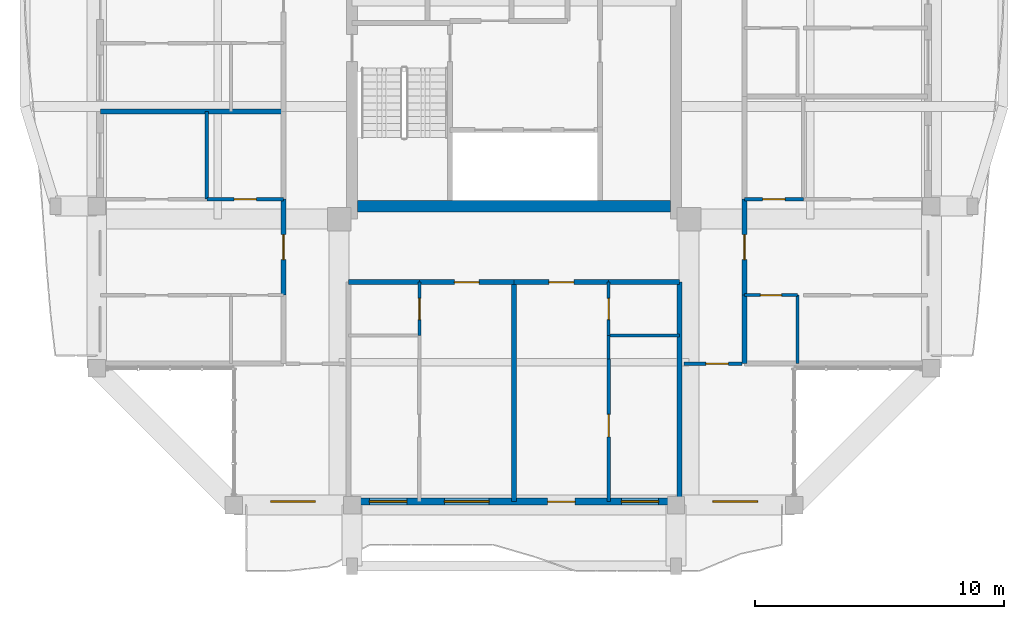
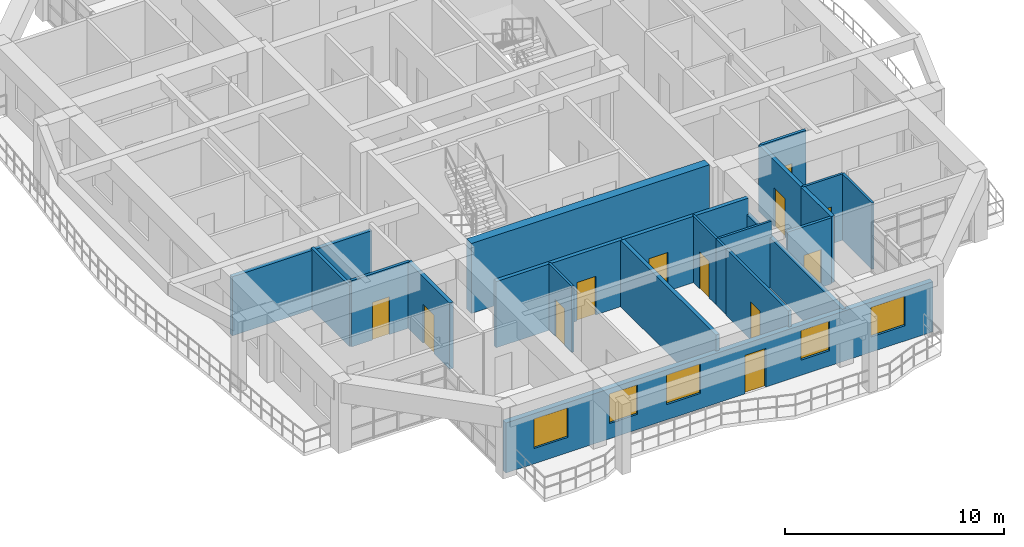
# One storey, part 16 of 27: 23 walls, 12 doors, 5 windows, 17 openings.
"""IFC4 building model written with IfcOpenShell, lengths in metres."""

import ifcopenshell
import ifcopenshell.guid

model = None  # the IFC model being written
_history = None  # IfcOwnerHistory: only IFC2X3 demands one
_inside = {}  # id of a spatial element -> (the spatial element, [elements in it])
_under = {}  # id of a project, library or spatial element -> (it, [spatial elements below it])
_declared = {}  # id of a project -> (the project, [libraries it declares])
_typed = {}  # id of a type object -> (the type object, [elements of that type])
_made_of = {}  # id of a material, layer set ... -> (it, [elements and type objects made of it])


def new_model(schema):
    """Start an empty IFC model of exactly this schema.

    Asked for "IFC4X3", IfcOpenShell would pick the latest addendum, in which some entities
    have other attributes; the version numbers below select the first issue.
    IFC2X3 requires an IfcOwnerHistory on every rooted entity: one is made here for all.
    """
    global model, _history
    if schema == "IFC4X3":
        model = ifcopenshell.file(schema_version=(4, 3, 0, 0))
    else:
        model = ifcopenshell.file(schema=schema)
    _inside.clear()
    _under.clear()
    _declared.clear()
    _typed.clear()
    _made_of.clear()
    _history = None
    if model.schema == "IFC2X3":
        org = make("IfcOrganization", Name="unknown")
        user = make(
            "IfcPersonAndOrganization",
            ThePerson=make("IfcPerson", FamilyName="unknown"),
            TheOrganization=org,
        )
        app = make(
            "IfcApplication",
            ApplicationDeveloper=org,
            Version="unknown",
            ApplicationFullName="unknown",
            ApplicationIdentifier="unknown",
        )
        _history = make(
            "IfcOwnerHistory",
            OwningUser=user,
            OwningApplication=app,
            ChangeAction="ADDED",
            CreationDate=0,
        )
    return model


def make(cls, **values):
    """One entity of the class cls with the attributes given. An attribute that is None is left unset."""
    return model.create_entity(
        cls, **{name: value for name, value in values.items() if value is not None}
    )


def rooted(cls, **values):
    """An entity with a GlobalId (a new one), such as an element, a storey or a relation."""
    return make(cls, GlobalId=ifcopenshell.guid.new(), OwnerHistory=_history, **values)


def si_unit(unit_type, name, prefix=None):
    """IfcSIUnit, for example si_unit("LENGTHUNIT", "METRE", prefix="MILLI")."""
    return make("IfcSIUnit", UnitType=unit_type, Prefix=prefix, Name=name)


def assignment(units):
    """IfcUnitAssignment: the units of a project."""
    return None if units is None else make("IfcUnitAssignment", Units=units)


def point(xyz):
    """IfcCartesianPoint."""
    return None if xyz is None else make("IfcCartesianPoint", Coordinates=xyz)


def direction(xyz):
    """IfcDirection."""
    return None if xyz is None else make("IfcDirection", DirectionRatios=xyz)


def frame(location, z_axis=None, x_axis=None):
    """IfcAxis2Placement3D, a coordinate frame: its origin and axes. An axis left out is left unset."""
    return make(
        "IfcAxis2Placement3D",
        Location=point(location),
        Axis=direction(z_axis),
        RefDirection=direction(x_axis),
    )


def frame_2d(location, x_axis=None):
    """IfcAxis2Placement2D, a coordinate frame in the plane: its origin and x axis."""
    return make(
        "IfcAxis2Placement2D", Location=point(location), RefDirection=direction(x_axis)
    )


def origin():
    """The frame at (0, 0, 0) with its axes left unset."""
    return frame((0.0, 0.0, 0.0))


def place(relative_to, where):
    """IfcLocalPlacement: puts the frame where relative to a parent placement (None: the world)."""
    return make(
        "IfcLocalPlacement", PlacementRelTo=relative_to, RelativePlacement=where
    )


def context(
    kind, dimensions, precision=None, world=None, true_north=None, identifier=None
):
    """IfcGeometricRepresentationContext, for example the 3D "Model" context."""
    return make(
        "IfcGeometricRepresentationContext",
        ContextIdentifier=identifier,
        ContextType=kind,
        CoordinateSpaceDimension=dimensions,
        Precision=precision,
        WorldCoordinateSystem=world,
        TrueNorth=true_north,
    )


def subcontext(parent, identifier, kind, view, scale=None):
    """IfcGeometricRepresentationSubContext, for example "Body" below "Model"."""
    return make(
        "IfcGeometricRepresentationSubContext",
        ContextIdentifier=identifier,
        ContextType=kind,
        ParentContext=parent,
        TargetScale=scale,
        TargetView=view,
    )


def project(units=None, contexts=None):
    """IfcProject with its units and contexts."""
    return rooted(
        "IfcProject",
        Name="project",
        RepresentationContexts=contexts,
        UnitsInContext=assignment(units),
    )


def spatial(cls, under=None, at=None, **own):
    """A site, building, storey or space (cls), placed at a placement, below another one or the project."""
    s = rooted(cls, ObjectPlacement=at, **own)
    if under is not None:
        _under.setdefault(under.id(), (under, []))[1].append(s)
    return s


def profile(cls, at=None, kind="AREA", **sizes):
    """A parametric profile (cls). Its sizes go by their IFC names, for example OverallWidth=200.0."""
    return make(cls, ProfileType=kind, Position=at, **sizes)


def rectangle(**sizes):
    """IfcRectangleProfileDef."""
    return profile("IfcRectangleProfileDef", **sizes)


def extrude(swept, where, along, depth):
    """IfcExtrudedAreaSolid: the profile swept, set in the frame where, extruded along a direction by depth."""
    return make(
        "IfcExtrudedAreaSolid",
        SweptArea=swept,
        Position=where,
        ExtrudedDirection=direction(along),
        Depth=depth,
    )


def shape(context_of_items, identifier, shape_type, items):
    """IfcShapeRepresentation: the items that make up one representation, for example the "Body"."""
    return make(
        "IfcShapeRepresentation",
        ContextOfItems=context_of_items,
        RepresentationIdentifier=identifier,
        RepresentationType=shape_type,
        Items=items,
    )


def source(mapping_origin, context_of_items, identifier, shape_type, items):
    """IfcRepresentationMap: a shape defined once, which mapped items show again and again."""
    return make(
        "IfcRepresentationMap",
        MappingOrigin=mapping_origin,
        MappedRepresentation=shape(context_of_items, identifier, shape_type, items),
    )


def transform(
    local_origin,
    x_axis=None,
    y_axis=None,
    z_axis=None,
    scale=None,
    scale2=None,
    scale3=None,
    uniform=True,
):
    """IfcCartesianTransformationOperator3D, or its non-uniform kind. x_axis, y_axis, z_axis: its Axis1, 2, 3."""
    if uniform:
        return make(
            "IfcCartesianTransformationOperator3D",
            Axis1=direction(x_axis),
            Axis2=direction(y_axis),
            LocalOrigin=point(local_origin),
            Scale=scale,
            Axis3=direction(z_axis),
        )
    return make(
        "IfcCartesianTransformationOperator3DnonUniform",
        Axis1=direction(x_axis),
        Axis2=direction(y_axis),
        LocalOrigin=point(local_origin),
        Scale=scale,
        Axis3=direction(z_axis),
        Scale2=scale2,
        Scale3=scale3,
    )


def mapped(mapping_source, mapping_target):
    """IfcMappedItem: shows the shape of a source again, moved by a transform."""
    return make(
        "IfcMappedItem", MappingSource=mapping_source, MappingTarget=mapping_target
    )


def material(Name=None, Category=None):
    """IfcMaterial."""
    return make("IfcMaterial", Name=Name, Category=Category)


def layer(
    of_material, thickness, ventilated=None, Name=None, Category=None, Priority=None
):
    """IfcMaterialLayer: one layer of a wall or slab, of a material (None: an air gap)."""
    return make(
        "IfcMaterialLayer",
        Material=of_material,
        LayerThickness=thickness,
        IsVentilated=ventilated,
        Name=Name,
        Category=Category,
        Priority=Priority,
    )


def layer_set(layers, Name=None):
    """IfcMaterialLayerSet."""
    return make("IfcMaterialLayerSet", MaterialLayers=layers, LayerSetName=Name)


def made_of(thing, what):
    """Note that an element or type object is made of a material, layer set ...; save() writes the relation."""
    if what is not None:
        _made_of.setdefault(what.id(), (what, []))[1].append(thing)
    return thing


def type_object(cls, material=None, **own):
    """A type object (cls), such as IfcWallType, which elements share."""
    return made_of(rooted(cls, **own), material)


def element(
    cls,
    number,
    at=None,
    inside=None,
    cuts=None,
    type_object=None,
    material=None,
    context=None,
    identifier="Body",
    shape_type=None,
    held_by="IfcProductDefinitionShape",
    body=None,
    shapes=None,
    **own,
):
    """One element of the class cls, such as IfcWall. Its Tag is "e" and its number.

    at: its placement. inside: the storey or other place that contains it. cuts: it is an
    opening in that element (IfcRelVoidsElement). A single representation is given by context,
    identifier, shape_type and body (its items); several are given by shapes. held_by: the class
    of the entity that holds the representations. save() writes the other relations.
    """
    e = rooted(cls, Tag="e%d" % number, ObjectPlacement=at, **own)
    if body is not None:
        shapes = [shape(context, identifier, shape_type, body)]
    if shapes is not None:
        e.Representation = make(held_by, Representations=shapes)
    if inside is not None:
        _inside.setdefault(inside.id(), (inside, []))[1].append(e)
    if cuts is not None:
        rooted(
            "IfcRelVoidsElement", RelatingBuildingElement=cuts, RelatedOpeningElement=e
        )
    if type_object is not None:
        _typed.setdefault(type_object.id(), (type_object, []))[1].append(e)
    return made_of(e, material)


def fill(opening, filler):
    """IfcRelFillsElement: the door or window that sits in an opening."""
    return rooted(
        "IfcRelFillsElement",
        RelatingOpeningElement=opening,
        RelatedBuildingElement=filler,
    )


def aggregate(whole, parts):
    """IfcRelAggregates: a whole, such as a stair, and the parts it consists of."""
    return rooted("IfcRelAggregates", RelatingObject=whole, RelatedObjects=parts)


def save(model, path):
    """Write the relations noted so far, then the file.

    IfcRelAggregates (storeys below a building ...), IfcRelContainedInSpatialStructure (elements
    in a storey), IfcRelDefinesByType, IfcRelAssociatesMaterial and IfcRelDeclares: one each for
    every whole, place, type object, material and project.
    """
    for whole, parts in _under.values():
        aggregate(whole, parts)
    for where, things in _inside.values():
        rooted(
            "IfcRelContainedInSpatialStructure",
            RelatedElements=things,
            RelatingStructure=where,
        )
    for kind, things in _typed.values():
        rooted("IfcRelDefinesByType", RelatedObjects=things, RelatingType=kind)
    for what, things in _made_of.values():
        rooted("IfcRelAssociatesMaterial", RelatedObjects=things, RelatingMaterial=what)
    for by, libraries in _declared.values():
        rooted("IfcRelDeclares", RelatingContext=by, RelatedDefinitions=libraries)
    model.write(path)


model = new_model("IFC4")

# Units and contexts
model_context = context("Model", 3, precision=1e-05, world=origin(), true_north=direction((0.0, 1.0)))
body_context = subcontext(model_context, "Body", "Model", "MODEL_VIEW")
ifc_project = project(units=[si_unit("LENGTHUNIT", "METRE"), si_unit("AREAUNIT", "SQUARE_METRE"), si_unit("VOLUMEUNIT", "CUBIC_METRE"), si_unit("PLANEANGLEUNIT", "RADIAN"), si_unit("MASSUNIT", "GRAM", prefix="KILO")], contexts=[model_context])

# Site, building, storey
site_placement = place(None, origin())
site = spatial("IfcSite", under=ifc_project, at=site_placement, CompositionType="ELEMENT")
building_placement = place(site_placement, origin())
building = spatial("IfcBuilding", under=site, at=building_placement, Name="Saelheon Loggia Tower", CompositionType="ELEMENT")
storey_placement = place(building_placement, frame((0.0, 0.0, 226.199951171875)))
storey = spatial("IfcBuildingStorey", under=building, at=storey_placement, Name="L70", CompositionType="ELEMENT", Elevation=226.199951171875)

# Wall
ifc_material_1 = material(Name="Concrete C45/55", Category="concrete")
ifc_layer_1 = layer(ifc_material_1, 0.449951171875)
ifc_layer_set_1 = layer_set([ifc_layer_1], Name="Concrete C45/55")
wall_type_1 = type_object("IfcWallType", Name="Wall_CoreShear_450", PredefinedType="SHEAR", material=ifc_layer_set_1)
wall_1_placement = place(storey_placement, frame((31.72509765625, 18.0, 0.0), z_axis=(0.0, 0.0, 1.0), x_axis=(1.0, 0.0, 0.0)))
element("IfcWall", 1, at=wall_1_placement, inside=storey, type_object=wall_type_1, Name="L70 Core Shear Wall South", PredefinedType="SHEAR", context=body_context, shape_type="SweptSolid", body=[
    extrude(rectangle(XDim=12.5498046875, YDim=0.449951171875, at=frame_2d((6.27490234375, 0.0))), origin(), (0.0, 0.0, 1.0), 3.900146484375),
])

# Wall, openings, windows, door
ifc_material_2 = material(Name="Architectural Precast Concrete C40/50", Category="concrete")
ifc_layer_2 = layer(ifc_material_2, 0.280029296875)
ifc_layer_set_2 = layer_set([ifc_layer_2], Name="Architectural Precast Concrete C40/50")
wall_type_2 = type_object("IfcWallType", Name="Wall_Ext_Loggia_280", PredefinedType="SOLIDWALL", material=ifc_layer_set_2)
wall_2_placement = place(storey_placement, frame((26.75, 6.139892578125, 0.0), z_axis=(0.0, 0.0, 1.0), x_axis=(1.0, 0.0, 0.0)))
wall_2 = element("IfcWall", 2, at=wall_2_placement, inside=storey, type_object=wall_type_2, Name="L70 South Loggia Inner Wall", PredefinedType="SOLIDWALL", context=body_context, shape_type="SweptSolid", body=[
    extrude(rectangle(XDim=22.5, YDim=0.280029296875, at=frame_2d((11.25, 0.0))), origin(), (0.0, 0.0, 1.0), 2.7900390625),
])
opening_1_placement = place(wall_2_placement, frame((1.47509765625, 0.0, 0.85009765625)))
opening_1 = element("IfcOpeningElement", 3, at=opening_1_placement, cuts=wall_2, Name="Opening WN-01", PredefinedType="OPENING", context=body_context, shape_type="SweptSolid", body=[
    extrude(rectangle(XDim=1.800048828125, YDim=1.64990234375, at=frame_2d((0.89990234375, 0.824951171875))), frame((0.0, 0.152099609375, 0.0), z_axis=(0.0, -1.0, 0.0), x_axis=(1.0, 0.0, 0.0)), (0.0, 0.0, 1.0), 0.303955078125),
])
opening_2_placement = place(wall_2_placement, frame((5.445068359375, 0.0, 0.85009765625)))
opening_2 = element("IfcOpeningElement", 4, at=opening_2_placement, cuts=wall_2, Name="Opening WN-02", PredefinedType="OPENING", context=body_context, shape_type="SweptSolid", body=[
    extrude(rectangle(XDim=1.5, YDim=1.64990234375, at=frame_2d((0.75, 0.824951171875))), frame((0.0, 0.152099609375, 0.0), z_axis=(0.0, -1.0, 0.0), x_axis=(1.0, 0.0, 0.0)), (0.0, 0.0, 1.0), 0.303955078125),
])
opening_3_placement = place(wall_2_placement, frame((8.449951171875, 0.0, 0.85009765625)))
opening_3 = element("IfcOpeningElement", 5, at=opening_3_placement, cuts=wall_2, Name="Opening WN-01", PredefinedType="OPENING", context=body_context, shape_type="SweptSolid", body=[
    extrude(rectangle(XDim=1.800048828125, YDim=1.64990234375, at=frame_2d((0.89990234375, 0.824951171875))), frame((0.0, 0.152099609375, 0.0), z_axis=(0.0, -1.0, 0.0), x_axis=(1.0, 0.0, 0.0)), (0.0, 0.0, 1.0), 0.303955078125),
])
opening_4_placement = place(wall_2_placement, frame((13.7001953125, 0.0, 0.0), z_axis=(0.0, 0.0, 1.0), x_axis=(-1.0, 0.0, 0.0)))
opening_4 = element("IfcOpeningElement", 6, at=opening_4_placement, cuts=wall_2, Name="Opening TD1", PredefinedType="OPENING", context=body_context, shape_type="SweptSolid", body=[
    extrude(rectangle(XDim=1.10009765625, YDim=2.14990234375, at=frame_2d((0.550048828125, 1.074951171875))), frame((0.0, 0.152099609375, 0.0), z_axis=(0.0, -1.0, 0.0), x_axis=(1.0, 0.0, 0.0)), (0.0, 0.0, 1.0), 0.303955078125),
])
opening_5_placement = place(wall_2_placement, frame((15.554931640625, 0.0, 0.85009765625)))
opening_5 = element("IfcOpeningElement", 7, at=opening_5_placement, cuts=wall_2, Name="Opening WN-02", PredefinedType="OPENING", context=body_context, shape_type="SweptSolid", body=[
    extrude(rectangle(XDim=1.5, YDim=1.64990234375, at=frame_2d((0.75, 0.824951171875))), frame((0.0, 0.152099609375, 0.0), z_axis=(0.0, -1.0, 0.0), x_axis=(1.0, 0.0, 0.0)), (0.0, 0.0, 1.0), 0.303955078125),
])
opening_6_placement = place(wall_2_placement, frame((19.22509765625, 0.0, 0.85009765625)))
opening_6 = element("IfcOpeningElement", 8, at=opening_6_placement, cuts=wall_2, Name="Opening WN-01", PredefinedType="OPENING", context=body_context, shape_type="SweptSolid", body=[
    extrude(rectangle(XDim=1.800048828125, YDim=1.64990234375, at=frame_2d((0.89990234375, 0.824951171875))), frame((0.0, 0.152099609375, 0.0), z_axis=(0.0, -1.0, 0.0), x_axis=(1.0, 0.0, 0.0)), (0.0, 0.0, 1.0), 0.303955078125),
])
ifc_material_3 = material(Name="Thermal-Break Aluminium and Triple Low-E Glass", Category="aluminium")
window_type_1 = type_object("IfcWindowType", Name="Win_Dwelling_1800x1650", PartitioningType="SINGLE_PANEL", PredefinedType="WINDOW", material=ifc_material_3)
shared_shape_1 = source(origin(), body_context, "Body", "SweptSolid", [
    extrude(rectangle(XDim=1.800048828125, YDim=1.64990234375, at=frame_2d((0.89990234375, 0.824951171875))), frame((0.0, 0.030029296875, 0.0), z_axis=(0.0, -1.0, 0.0), x_axis=(1.0, 0.0, 0.0)), (0.0, 0.0, 1.0), 0.06005859375),
])
window_1_placement = place(opening_1_placement, origin())
window_1 = element("IfcWindow", 9, at=window_1_placement, inside=storey, type_object=window_type_1, Name="L70 S Dwelling Window 1", OverallHeight=1.64990234375, OverallWidth=1.800048828125, PartitioningType="SINGLE_PANEL", PredefinedType="WINDOW", context=body_context, shape_type="MappedRepresentation", body=[
    mapped(shared_shape_1, transform((0.0, 0.0, 0.0), scale=1.0)),
])
fill(opening_1, window_1)
window_2_placement = place(opening_3_placement, origin())
window_2 = element("IfcWindow", 10, at=window_2_placement, inside=storey, type_object=window_type_1, Name="L70 S Dwelling Window 3", OverallHeight=1.64990234375, OverallWidth=1.800048828125, PartitioningType="SINGLE_PANEL", PredefinedType="WINDOW", context=body_context, shape_type="MappedRepresentation", body=[
    mapped(shared_shape_1, transform((0.0, 0.0, 0.0), scale=1.0)),
])
fill(opening_3, window_2)
window_3_placement = place(opening_6_placement, origin())
window_3 = element("IfcWindow", 11, at=window_3_placement, inside=storey, type_object=window_type_1, Name="L70 S Dwelling Window 6", OverallHeight=1.64990234375, OverallWidth=1.800048828125, PartitioningType="SINGLE_PANEL", PredefinedType="WINDOW", context=body_context, shape_type="MappedRepresentation", body=[
    mapped(shared_shape_1, transform((0.0, 0.0, 0.0), scale=1.0)),
])
fill(opening_6, window_3)
ifc_material_4 = material(Name="Thermal-Break Aluminium Glazed Door", Category="aluminium")
door_type_1 = type_object("IfcDoorType", Name="Door_Terrace_TD1", OperationType="NOTDEFINED", PredefinedType="DOOR", material=ifc_material_4)
shared_shape_2 = source(origin(), body_context, "Body", "SweptSolid", [
    extrude(rectangle(XDim=1.10009765625, YDim=2.14990234375, at=frame_2d((0.550048828125, 1.074951171875))), frame((0.0, 0.02490234375, 0.0), z_axis=(0.0, -1.0, 0.0), x_axis=(1.0, 0.0, 0.0)), (0.0, 0.0, 1.0), 0.050048828125),
])
door_1_placement = place(opening_4_placement, origin())
door_1 = element("IfcDoor", 12, at=door_1_placement, inside=storey, type_object=door_type_1, Name="L70 S Loggia Access Door", OperationType="SINGLE_SWING_RIGHT", OverallHeight=2.14990234375, OverallWidth=1.10009765625, PredefinedType="DOOR", context=body_context, shape_type="MappedRepresentation", body=[
    mapped(shared_shape_2, transform((0.0, 0.0, 0.0), scale=1.0)),
])
fill(opening_4, door_1)
window_type_2 = type_object("IfcWindowType", Name="Win_Dwelling_1500x1650", PartitioningType="SINGLE_PANEL", PredefinedType="WINDOW", material=ifc_material_3)
shared_shape_3 = source(origin(), body_context, "Body", "SweptSolid", [
    extrude(rectangle(XDim=1.5, YDim=1.64990234375, at=frame_2d((0.75, 0.824951171875))), frame((0.0, 0.030029296875, 0.0), z_axis=(0.0, -1.0, 0.0), x_axis=(1.0, 0.0, 0.0)), (0.0, 0.0, 1.0), 0.06005859375),
])
window_4_placement = place(opening_2_placement, origin())
window_4 = element("IfcWindow", 13, at=window_4_placement, inside=storey, type_object=window_type_2, Name="L70 S Dwelling Window 2", OverallHeight=1.64990234375, OverallWidth=1.5, PartitioningType="SINGLE_PANEL", PredefinedType="WINDOW", context=body_context, shape_type="MappedRepresentation", body=[
    mapped(shared_shape_3, transform((0.0, 0.0, 0.0), scale=1.0)),
])
fill(opening_2, window_4)
window_5_placement = place(opening_5_placement, origin())
window_5 = element("IfcWindow", 14, at=window_5_placement, inside=storey, type_object=window_type_2, Name="L70 S Dwelling Window 5", OverallHeight=1.64990234375, OverallWidth=1.5, PartitioningType="SINGLE_PANEL", PredefinedType="WINDOW", context=body_context, shape_type="MappedRepresentation", body=[
    mapped(shared_shape_3, transform((0.0, 0.0, 0.0), scale=1.0)),
])
fill(opening_5, window_5)

# Wall, opening, door
ifc_material_5 = material(Name="Lightweight Autoclaved Aerated Concrete Block and Acoustic Gypsum", Category="concrete")
ifc_layer_3 = layer(ifc_material_5, 0.14990234375)
ifc_layer_set_3 = layer_set([ifc_layer_3], Name="Lightweight Autoclaved Aerated Concrete Block and Acoustic Gypsum")
wall_type_3 = type_object("IfcWallType", Name="Wall_Part_150", PredefinedType="PARTITIONING", material=ifc_layer_set_3)
wall_3_placement = place(storey_placement, frame((44.820068359375, 11.679931640625, 0.0), z_axis=(0.0, 0.0, 1.0), x_axis=(1.0, 0.0, 0.0)))
wall_3 = element("IfcWall", 15, at=wall_3_placement, inside=storey, type_object=wall_type_3, Name="PW-L70-CSE-H", PredefinedType="PARTITIONING", context=body_context, shape_type="SweptSolid", body=[
    extrude(rectangle(XDim=2.329833984375, YDim=0.14990234375, at=frame_2d((1.1650390625, 0.0))), origin(), (0.0, 0.0, 1.0), 3.68994140625),
])
opening_7_placement = place(wall_3_placement, frame((0.8798828125, 0.0, 0.0)))
opening_7 = element("IfcOpeningElement", 16, at=opening_7_placement, cuts=wall_3, Name="Opening D-IN2", PredefinedType="OPENING", context=body_context, shape_type="SweptSolid", body=[
    extrude(rectangle(XDim=0.89990234375, YDim=2.10009765625, at=frame_2d((0.449951171875, 1.050048828125))), frame((0.0, 0.0869140625, 0.0), z_axis=(0.0, -1.0, 0.0), x_axis=(1.0, 0.0, 0.0)), (0.0, 0.0, 1.0), 0.173828125),
])
ifc_material_6 = material(Name="Engineered Oak Flush Door", Category="timber")
door_type_2 = type_object("IfcDoorType", Name="Door_Int_900", OperationType="NOTDEFINED", PredefinedType="DOOR", material=ifc_material_6)
shared_shape_4 = source(origin(), body_context, "Body", "SweptSolid", [
    extrude(rectangle(XDim=0.89990234375, YDim=2.10009765625, at=frame_2d((0.449951171875, 1.050048828125))), frame((0.0, 0.02490234375, 0.0), z_axis=(0.0, -1.0, 0.0), x_axis=(1.0, 0.0, 0.0)), (0.0, 0.0, 1.0), 0.050048828125),
])
door_2_placement = place(opening_7_placement, origin())
door_2 = element("IfcDoor", 17, at=door_2_placement, inside=storey, type_object=door_type_2, Name="L70 Corner Reading Room SE Door", OperationType="SINGLE_SWING_RIGHT", OverallHeight=2.10009765625, OverallWidth=0.89990234375, PredefinedType="DOOR", context=body_context, shape_type="MappedRepresentation", body=[
    mapped(shared_shape_4, transform((0.0, 0.0, 0.0), scale=1.0)),
])
fill(opening_7, door_2)

wall_4_placement = place(storey_placement, frame((41.800048828125, 11.8701171875, 0.0), z_axis=(0.0, 0.0, 1.0), x_axis=(0.0, -1.0, 0.0)))
wall_4 = element("IfcWall", 18, at=wall_4_placement, inside=storey, type_object=wall_type_3, Name="L70 S Partition U15", PredefinedType="PARTITIONING", context=body_context, shape_type="SweptSolid", body=[
    extrude(rectangle(XDim=5.72021484375, YDim=0.14990234375, at=frame_2d((2.860107421875, 0.0))), origin(), (0.0, 0.0, 1.0), 3.68994140625),
])
opening_8_placement = place(wall_4_placement, frame((2.229248046875, 0.0, 0.0)))
opening_8 = element("IfcOpeningElement", 19, at=opening_8_placement, cuts=wall_4, Name="Opening D-IN2", PredefinedType="OPENING", context=body_context, shape_type="SweptSolid", body=[
    extrude(rectangle(XDim=0.89990234375, YDim=2.10009765625, at=frame_2d((0.449951171875, 1.050048828125))), frame((0.0, 0.0869140625, 0.0), z_axis=(0.0, -1.0, 0.0), x_axis=(1.0, 0.0, 0.0)), (0.0, 0.0, 1.0), 0.173828125),
])
door_3_placement = place(opening_8_placement, origin())
door_3 = element("IfcDoor", 20, at=door_3_placement, inside=storey, type_object=door_type_2, Name="Unit U02 Kitchen Door", OperationType="SINGLE_SWING_LEFT", OverallHeight=2.10009765625, OverallWidth=0.89990234375, PredefinedType="DOOR", context=body_context, shape_type="MappedRepresentation", body=[
    mapped(shared_shape_4, transform((0.0, 0.0, 0.0), scale=1.0)),
])
fill(opening_8, door_3)

# Wall
wall_5_placement = place(storey_placement, frame((25.669921875, 18.280029296875, 0.0), z_axis=(0.0, 0.0, 1.0), x_axis=(0.0, 1.0, 0.0)))
element("IfcWall", 21, at=wall_5_placement, inside=storey, type_object=wall_type_3, Name="L70 W Partition V07", PredefinedType="PARTITIONING", context=body_context, shape_type="SweptSolid", body=[
    extrude(rectangle(XDim=3.51123046875, YDim=0.14990234375, at=frame_2d((1.755615234375, 0.0))), origin(), (0.0, 0.0, 1.0), 3.39013671875),
])

# Wall, opening, door
wall_6_placement = place(storey_placement, frame((28.75, 18.280029296875, 0.0), z_axis=(0.0, 0.0, 1.0), x_axis=(-1.0, 0.0, 0.0)))
wall_6 = element("IfcWall", 22, at=wall_6_placement, inside=storey, type_object=wall_type_3, Name="L70 W Partition U11", PredefinedType="PARTITIONING", context=body_context, shape_type="SweptSolid", body=[
    extrude(rectangle(XDim=3.080078125, YDim=0.14990234375, at=frame_2d((1.5400390625, 0.0))), origin(), (0.0, 0.0, 1.0), 3.68994140625),
])
opening_9_placement = place(wall_6_placement, frame((1.090087890625, 0.0, 0.0)))
opening_9 = element("IfcOpeningElement", 23, at=opening_9_placement, cuts=wall_6, Name="Opening D-IN2", PredefinedType="OPENING", context=body_context, shape_type="SweptSolid", body=[
    extrude(rectangle(XDim=0.89990234375, YDim=2.10009765625, at=frame_2d((0.449951171875, 1.050048828125))), frame((0.0, 0.0869140625, 0.0), z_axis=(0.0, -1.0, 0.0), x_axis=(1.0, 0.0, 0.0)), (0.0, 0.0, 1.0), 0.173828125),
])
door_4_placement = place(opening_9_placement, origin())
door_4 = element("IfcDoor", 24, at=door_4_placement, inside=storey, type_object=door_type_2, Name="Unit U05 Home Office Door", OperationType="SINGLE_SWING_RIGHT", OverallHeight=2.10009765625, OverallWidth=0.89990234375, PredefinedType="DOOR", context=body_context, shape_type="MappedRepresentation", body=[
    mapped(shared_shape_4, transform((0.0, 0.0, 0.0), scale=1.0)),
])
fill(opening_9, door_4)

wall_7_placement = place(storey_placement, frame((47.25, 18.280029296875, 0.0), z_axis=(0.0, 0.0, 1.0), x_axis=(1.0, 0.0, 0.0)))
wall_7 = element("IfcWall", 25, at=wall_7_placement, inside=storey, type_object=wall_type_3, Name="L70 E Partition U10", PredefinedType="PARTITIONING", context=body_context, shape_type="SweptSolid", body=[
    extrude(rectangle(XDim=2.360107421875, YDim=0.14990234375, at=frame_2d((1.18017578125, 0.0))), origin(), (0.0, 0.0, 1.0), 3.68994140625),
])
opening_10_placement = place(wall_7_placement, frame((0.72998046875, 0.0, 0.0)))
opening_10 = element("IfcOpeningElement", 26, at=opening_10_placement, cuts=wall_7, Name="Opening D-IN2", PredefinedType="OPENING", context=body_context, shape_type="SweptSolid", body=[
    extrude(rectangle(XDim=0.89990234375, YDim=2.10009765625, at=frame_2d((0.449951171875, 1.050048828125))), frame((0.0, 0.0869140625, 0.0), z_axis=(0.0, -1.0, 0.0), x_axis=(1.0, 0.0, 0.0)), (0.0, 0.0, 1.0), 0.173828125),
])
door_5_placement = place(opening_10_placement, origin())
door_5 = element("IfcDoor", 27, at=door_5_placement, inside=storey, type_object=door_type_2, Name="Unit U08 Dressing Closet Door", OperationType="SINGLE_SWING_LEFT", OverallHeight=2.10009765625, OverallWidth=0.89990234375, PredefinedType="DOOR", context=body_context, shape_type="MappedRepresentation", body=[
    mapped(shared_shape_4, transform((0.0, 0.0, 0.0), scale=1.0)),
])
fill(opening_10, door_5)

# Walls
ifc_material_7 = material(Name="Double Acoustic Stud and Fireboard Partition", Category="gypsum")
ifc_layer_4 = layer(ifc_material_7, 0.199951171875)
ifc_layer_set_4 = layer_set([ifc_layer_4], Name="Double Acoustic Stud and Fireboard Partition")
wall_type_4 = type_object("IfcWallType", Name="Wall_Party_200", PredefinedType="PARTITIONING", material=ifc_layer_set_4)
wall_8_placement = place(storey_placement, frame((44.64990234375, 14.949951171875, 0.0), z_axis=(0.0, 0.0, 1.0), x_axis=(0.0, -1.0, 0.0)))
element("IfcWall", 28, at=wall_8_placement, inside=storey, type_object=wall_type_4, Name="L70 S Partition U02", PredefinedType="PARTITIONING", context=body_context, shape_type="SweptSolid", body=[
    extrude(rectangle(XDim=8.800048828125, YDim=0.199951171875, at=frame_2d((4.39990234375, 0.0))), origin(), (0.0, 0.0, 1.0), 2.7900390625),
])
wall_9_placement = place(storey_placement, frame((31.35009765625, 14.949951171875, 0.0), z_axis=(0.0, 0.0, 1.0), x_axis=(1.0, 0.0, 0.0)))
element("IfcWall", 29, at=wall_9_placement, inside=storey, type_object=wall_type_4, Name="L70 S Partition V03", PredefinedType="PARTITIONING", context=body_context, shape_type="SweptSolid", body=[
    extrude(rectangle(XDim=2.849853515625, YDim=0.199951171875, at=frame_2d((1.4248046875, 0.0))), origin(), (0.0, 0.0, 1.0), 3.68994140625),
])

# Wall, opening, door
wall_10_placement = place(storey_placement, frame((34.199951171875, 14.949951171875, 0.0), z_axis=(0.0, 0.0, 1.0), x_axis=(1.0, 0.0, 0.0)))
wall_10 = element("IfcWall", 30, at=wall_10_placement, inside=storey, type_object=wall_type_4, Name="L70 S Partition V04", PredefinedType="PARTITIONING", context=body_context, shape_type="SweptSolid", body=[
    extrude(rectangle(XDim=3.800048828125, YDim=0.199951171875, at=frame_2d((1.89990234375, 0.0))), origin(), (0.0, 0.0, 1.0), 3.68994140625),
])
opening_11_placement = place(wall_10_placement, frame((1.39990234375, 0.0, 0.0)))
opening_11 = element("IfcOpeningElement", 31, at=opening_11_placement, cuts=wall_10, Name="Opening D-FD1", PredefinedType="OPENING", context=body_context, shape_type="SweptSolid", body=[
    extrude(rectangle(XDim=1.0, YDim=2.14990234375, at=frame_2d((0.5, 1.074951171875))), frame((0.0, 0.112060546875, 0.0), z_axis=(0.0, -1.0, 0.0), x_axis=(1.0, 0.0, 0.0)), (0.0, 0.0, 1.0), 0.223876953125),
])
ifc_material_8 = material(Name="Fire-Rated Engineered Timber Entrance Door", Category="wood")
door_type_3 = type_object("IfcDoorType", Name="Door_Flat_FD30S", OperationType="NOTDEFINED", PredefinedType="DOOR", material=ifc_material_8)
shared_shape_5 = source(origin(), body_context, "Body", "SweptSolid", [
    extrude(rectangle(XDim=1.0, YDim=2.14990234375, at=frame_2d((0.5, 1.074951171875))), frame((0.0, 0.02490234375, 0.0), z_axis=(0.0, -1.0, 0.0), x_axis=(1.0, 0.0, 0.0)), (0.0, 0.0, 1.0), 0.050048828125),
])
door_6_placement = place(opening_11_placement, origin())
door_6 = element("IfcDoor", 32, at=door_6_placement, inside=storey, type_object=door_type_3, Name="Unit U01 Entrance Door", OperationType="SINGLE_SWING_RIGHT", OverallHeight=2.14990234375, OverallWidth=1.0, PredefinedType="DOOR", context=body_context, shape_type="MappedRepresentation", body=[
    mapped(shared_shape_5, transform((0.0, 0.0, 0.0), scale=1.0)),
])
fill(opening_11, door_6)

# Wall
wall_11_placement = place(storey_placement, frame((38.0, 14.949951171875, 0.0), z_axis=(0.0, 0.0, 1.0), x_axis=(0.0, -1.0, 0.0)))
element("IfcWall", 33, at=wall_11_placement, inside=storey, type_object=wall_type_4, Name="L70 S Partition U09", PredefinedType="PARTITIONING", context=body_context, shape_type="SweptSolid", body=[
    extrude(rectangle(XDim=8.800048828125, YDim=0.199951171875, at=frame_2d((4.39990234375, 0.0))), origin(), (0.0, 0.0, 1.0), 3.68994140625),
])

# Wall, opening, door
wall_12_placement = place(storey_placement, frame((38.0, 14.949951171875, 0.0), z_axis=(0.0, 0.0, 1.0), x_axis=(1.0, 0.0, 0.0)))
wall_12 = element("IfcWall", 34, at=wall_12_placement, inside=storey, type_object=wall_type_4, Name="L70 S Partition V10", PredefinedType="PARTITIONING", context=body_context, shape_type="SweptSolid", body=[
    extrude(rectangle(XDim=3.800048828125, YDim=0.199951171875, at=frame_2d((1.89990234375, 0.0))), origin(), (0.0, 0.0, 1.0), 3.68994140625),
])
opening_12_placement = place(wall_12_placement, frame((1.39990234375, 0.0, 0.0)))
opening_12 = element("IfcOpeningElement", 35, at=opening_12_placement, cuts=wall_12, Name="Opening D-FD1", PredefinedType="OPENING", context=body_context, shape_type="SweptSolid", body=[
    extrude(rectangle(XDim=1.0, YDim=2.14990234375, at=frame_2d((0.5, 1.074951171875))), frame((0.0, 0.112060546875, 0.0), z_axis=(0.0, -1.0, 0.0), x_axis=(1.0, 0.0, 0.0)), (0.0, 0.0, 1.0), 0.223876953125),
])
door_7_placement = place(opening_12_placement, origin())
door_7 = element("IfcDoor", 36, at=door_7_placement, inside=storey, type_object=door_type_3, Name="Unit U02 Entrance Door", OperationType="SINGLE_SWING_LEFT", OverallHeight=2.14990234375, OverallWidth=1.0, PredefinedType="DOOR", context=body_context, shape_type="MappedRepresentation", body=[
    mapped(shared_shape_5, transform((0.0, 0.0, 0.0), scale=1.0)),
])
fill(opening_12, door_7)

# Wall
wall_13_placement = place(storey_placement, frame((41.800048828125, 14.949951171875, 0.0), z_axis=(0.0, 0.0, 1.0), x_axis=(1.0, 0.0, 0.0)))
element("IfcWall", 37, at=wall_13_placement, inside=storey, type_object=wall_type_4, Name="L70 S Partition V11", PredefinedType="PARTITIONING", context=body_context, shape_type="SweptSolid", body=[
    extrude(rectangle(XDim=2.849853515625, YDim=0.199951171875, at=frame_2d((1.4248046875, 0.0))), origin(), (0.0, 0.0, 1.0), 3.68994140625),
])

# Wall, opening, door
wall_14_placement = place(storey_placement, frame((28.75, 14.429931640625, 0.0), z_axis=(0.0, 0.0, 1.0), x_axis=(0.0, 1.0, 0.0)))
wall_14 = element("IfcWall", 38, at=wall_14_placement, inside=storey, type_object=wall_type_4, Name="L70 W Partition V04", PredefinedType="PARTITIONING", context=body_context, shape_type="SweptSolid", body=[
    extrude(rectangle(XDim=3.85009765625, YDim=0.199951171875, at=frame_2d((1.925048828125, 0.0))), origin(), (0.0, 0.0, 1.0), 3.68994140625),
])
opening_13_placement = place(wall_14_placement, frame((1.425048828125, 0.0, 0.0)))
opening_13 = element("IfcOpeningElement", 39, at=opening_13_placement, cuts=wall_14, Name="Opening D-FD1", PredefinedType="OPENING", context=body_context, shape_type="SweptSolid", body=[
    extrude(rectangle(XDim=1.0, YDim=2.14990234375, at=frame_2d((0.5, 1.074951171875))), frame((0.0, 0.112060546875, 0.0), z_axis=(0.0, -1.0, 0.0), x_axis=(1.0, 0.0, 0.0)), (0.0, 0.0, 1.0), 0.223876953125),
])
door_8_placement = place(opening_13_placement, origin())
door_8 = element("IfcDoor", 40, at=door_8_placement, inside=storey, type_object=door_type_3, Name="Unit U05 Entrance Door", OperationType="SINGLE_SWING_LEFT", OverallHeight=2.14990234375, OverallWidth=1.0, PredefinedType="DOOR", context=body_context, shape_type="MappedRepresentation", body=[
    mapped(shared_shape_5, transform((0.0, 0.0, 0.0), scale=1.0)),
])
fill(opening_13, door_8)

# Walls
wall_15_placement = place(storey_placement, frame((28.75, 21.791259765625, 0.0), z_axis=(0.0, 0.0, 1.0), x_axis=(-1.0, 0.0, 0.0)))
element("IfcWall", 41, at=wall_15_placement, inside=storey, type_object=wall_type_4, Name="L70 W Partition U13", PredefinedType="PARTITIONING", context=body_context, shape_type="SweptSolid", body=[
    extrude(rectangle(XDim=7.35009765625, YDim=0.199951171875, at=frame_2d((3.675048828125, 0.0))), origin(), (0.0, 0.0, 1.0), 3.2900390625),
])
wall_16_placement = place(storey_placement, frame((47.25, 11.679931640625, 0.0), z_axis=(0.0, 0.0, 1.0), x_axis=(0.0, 1.0, 0.0)))
element("IfcWall", 42, at=wall_16_placement, inside=storey, type_object=wall_type_4, Name="L70 E Partition V03", PredefinedType="PARTITIONING", context=body_context, shape_type="SweptSolid", body=[
    extrude(rectangle(XDim=2.75, YDim=0.199951171875, at=frame_2d((1.375, 0.0))), origin(), (0.0, 0.0, 1.0), 3.68994140625),
])

# Wall, opening, door
wall_17_placement = place(storey_placement, frame((47.25, 14.429931640625, 0.0), z_axis=(0.0, 0.0, 1.0), x_axis=(0.0, 1.0, 0.0)))
wall_17 = element("IfcWall", 43, at=wall_17_placement, inside=storey, type_object=wall_type_4, Name="L70 E Partition V04", PredefinedType="PARTITIONING", context=body_context, shape_type="SweptSolid", body=[
    extrude(rectangle(XDim=3.85009765625, YDim=0.199951171875, at=frame_2d((1.925048828125, 0.0))), origin(), (0.0, 0.0, 1.0), 3.68994140625),
])
opening_14_placement = place(wall_17_placement, frame((1.425048828125, 0.0, 0.0)))
opening_14 = element("IfcOpeningElement", 44, at=opening_14_placement, cuts=wall_17, Name="Opening D-FD1", PredefinedType="OPENING", context=body_context, shape_type="SweptSolid", body=[
    extrude(rectangle(XDim=1.0, YDim=2.14990234375, at=frame_2d((0.5, 1.074951171875))), frame((0.0, 0.112060546875, 0.0), z_axis=(0.0, -1.0, 0.0), x_axis=(1.0, 0.0, 0.0)), (0.0, 0.0, 1.0), 0.223876953125),
])
door_9_placement = place(opening_14_placement, origin())
door_9 = element("IfcDoor", 45, at=door_9_placement, inside=storey, type_object=door_type_3, Name="Unit U08 Entrance Door", OperationType="SINGLE_SWING_RIGHT", OverallHeight=2.14990234375, OverallWidth=1.0, PredefinedType="DOOR", context=body_context, shape_type="MappedRepresentation", body=[
    mapped(shared_shape_5, transform((0.0, 0.0, 0.0), scale=1.0)),
])
fill(opening_14, door_9)

ifc_material_9 = material(Name="Moisture-Resistant Cement Board Partition", Category="gypsum")
ifc_layer_5 = layer(ifc_material_9, 0.1201171875)
ifc_layer_set_5 = layer_set([ifc_layer_5], Name="Moisture-Resistant Cement Board Partition")
wall_type_5 = type_object("IfcWallType", Name="Wall_WetPart_120", PredefinedType="PARTITIONING", material=ifc_layer_set_5)
wall_18_placement = place(storey_placement, frame((34.199951171875, 14.949951171875, 0.0), z_axis=(0.0, 0.0, 1.0), x_axis=(0.0, -1.0, 0.0)))
wall_18 = element("IfcWall", 46, at=wall_18_placement, inside=storey, type_object=wall_type_5, Name="L70 S Partition U05", PredefinedType="PARTITIONING", context=body_context, shape_type="SweptSolid", body=[
    extrude(rectangle(XDim=2.14990234375, YDim=0.1201171875, at=frame_2d((1.074951171875, 0.0))), origin(), (0.0, 0.0, 1.0), 3.68994140625),
])
opening_15_placement = place(wall_18_placement, frame((0.64990234375, 0.0, 0.0)))
opening_15 = element("IfcOpeningElement", 47, at=opening_15_placement, cuts=wall_18, Name="Opening D-BT1", PredefinedType="OPENING", context=body_context, shape_type="SweptSolid", body=[
    extrude(rectangle(XDim=0.85009765625, YDim=2.050048828125, at=frame_2d((0.425048828125, 1.02490234375))), frame((0.0, 0.072021484375, 0.0), z_axis=(0.0, -1.0, 0.0), x_axis=(1.0, 0.0, 0.0)), (0.0, 0.0, 1.0), 0.14404296875),
])
ifc_material_10 = material(Name="Moisture-Resistant Laminate Timber Door", Category="wood")
door_type_4 = type_object("IfcDoorType", Name="Door_Bath_850", OperationType="NOTDEFINED", PredefinedType="DOOR", material=ifc_material_10)
shared_shape_6 = source(origin(), body_context, "Body", "SweptSolid", [
    extrude(rectangle(XDim=0.85009765625, YDim=2.050048828125, at=frame_2d((0.425048828125, 1.02490234375))), frame((0.0, 0.02490234375, 0.0), z_axis=(0.0, -1.0, 0.0), x_axis=(1.0, 0.0, 0.0)), (0.0, 0.0, 1.0), 0.050048828125),
])
door_10_placement = place(opening_15_placement, origin())
door_10 = element("IfcDoor", 48, at=door_10_placement, inside=storey, type_object=door_type_4, Name="Unit U01 Bathroom Door", OperationType="SINGLE_SWING_LEFT", OverallHeight=2.050048828125, OverallWidth=0.85009765625, PredefinedType="DOOR", context=body_context, shape_type="MappedRepresentation", body=[
    mapped(shared_shape_6, transform((0.0, 0.0, 0.0), scale=1.0)),
])
fill(opening_15, door_10)

wall_19_placement = place(storey_placement, frame((41.800048828125, 14.949951171875, 0.0), z_axis=(0.0, 0.0, 1.0), x_axis=(0.0, -1.0, 0.0)))
wall_19 = element("IfcWall", 49, at=wall_19_placement, inside=storey, type_object=wall_type_5, Name="L70 S Partition U12", PredefinedType="PARTITIONING", context=body_context, shape_type="SweptSolid", body=[
    extrude(rectangle(XDim=2.14990234375, YDim=0.1201171875, at=frame_2d((1.074951171875, 0.0))), origin(), (0.0, 0.0, 1.0), 3.68994140625),
])
opening_16_placement = place(wall_19_placement, frame((0.64990234375, 0.0, 0.0)))
opening_16 = element("IfcOpeningElement", 50, at=opening_16_placement, cuts=wall_19, Name="Opening D-BT1", PredefinedType="OPENING", context=body_context, shape_type="SweptSolid", body=[
    extrude(rectangle(XDim=0.85009765625, YDim=2.050048828125, at=frame_2d((0.425048828125, 1.02490234375))), frame((0.0, 0.072021484375, 0.0), z_axis=(0.0, -1.0, 0.0), x_axis=(1.0, 0.0, 0.0)), (0.0, 0.0, 1.0), 0.14404296875),
])
door_11_placement = place(opening_16_placement, origin())
door_11 = element("IfcDoor", 51, at=door_11_placement, inside=storey, type_object=door_type_4, Name="Unit U02 Bathroom Door", OperationType="SINGLE_SWING_RIGHT", OverallHeight=2.050048828125, OverallWidth=0.85009765625, PredefinedType="DOOR", context=body_context, shape_type="MappedRepresentation", body=[
    mapped(shared_shape_6, transform((0.0, 0.0, 0.0), scale=1.0)),
])
fill(opening_16, door_11)

# Walls
wall_20_placement = place(storey_placement, frame((41.800048828125, 12.800048828125, 0.0), z_axis=(0.0, 0.0, 1.0), x_axis=(0.0, -1.0, 0.0)))
element("IfcWall", 52, at=wall_20_placement, inside=storey, type_object=wall_type_5, Name="L70 S Partition U13", PredefinedType="PARTITIONING", context=body_context, shape_type="SweptSolid", body=[
    extrude(rectangle(XDim=0.929931640625, YDim=0.1201171875, at=frame_2d((0.46484375, 0.0))), origin(), (0.0, 0.0, 1.0), 3.68994140625),
])
wall_21_placement = place(storey_placement, frame((41.800048828125, 12.800048828125, 0.0), z_axis=(0.0, 0.0, 1.0), x_axis=(1.0, 0.0, 0.0)))
element("IfcWall", 53, at=wall_21_placement, inside=storey, type_object=wall_type_5, Name="L70 S Partition V14", PredefinedType="PARTITIONING", context=body_context, shape_type="SweptSolid", body=[
    extrude(rectangle(XDim=2.849853515625, YDim=0.1201171875, at=frame_2d((1.4248046875, 0.0))), origin(), (0.0, 0.0, 1.0), 3.68994140625),
])
wall_22_placement = place(storey_placement, frame((49.3701171875, 11.679931640625, 0.0), z_axis=(0.0, 0.0, 1.0), x_axis=(0.0, 1.0, 0.0)))
element("IfcWall", 54, at=wall_22_placement, inside=storey, type_object=wall_type_5, Name="L70 E Partition V06", PredefinedType="PARTITIONING", context=body_context, shape_type="SweptSolid", body=[
    extrude(rectangle(XDim=2.75, YDim=0.1201171875, at=frame_2d((1.375, 0.0))), origin(), (0.0, 0.0, 1.0), 3.68994140625),
])

# Wall, opening, door
wall_23_placement = place(storey_placement, frame((47.25, 14.429931640625, 0.0), z_axis=(0.0, 0.0, 1.0), x_axis=(1.0, 0.0, 0.0)))
wall_23 = element("IfcWall", 55, at=wall_23_placement, inside=storey, type_object=wall_type_5, Name="L70 E Partition U08", PredefinedType="PARTITIONING", context=body_context, shape_type="SweptSolid", body=[
    extrude(rectangle(XDim=2.1201171875, YDim=0.1201171875, at=frame_2d((1.06005859375, 0.0))), origin(), (0.0, 0.0, 1.0), 3.68994140625),
])
opening_17_placement = place(wall_23_placement, frame((0.635009765625, 0.0, 0.0)))
opening_17 = element("IfcOpeningElement", 56, at=opening_17_placement, cuts=wall_23, Name="Opening D-BT1", PredefinedType="OPENING", context=body_context, shape_type="SweptSolid", body=[
    extrude(rectangle(XDim=0.85009765625, YDim=2.050048828125, at=frame_2d((0.425048828125, 1.02490234375))), frame((0.0, 0.072021484375, 0.0), z_axis=(0.0, -1.0, 0.0), x_axis=(1.0, 0.0, 0.0)), (0.0, 0.0, 1.0), 0.14404296875),
])
door_12_placement = place(opening_17_placement, origin())
door_12 = element("IfcDoor", 57, at=door_12_placement, inside=storey, type_object=door_type_4, Name="Unit U08 Bathroom Door", OperationType="SINGLE_SWING_LEFT", OverallHeight=2.050048828125, OverallWidth=0.85009765625, PredefinedType="DOOR", context=body_context, shape_type="MappedRepresentation", body=[
    mapped(shared_shape_6, transform((0.0, 0.0, 0.0), scale=1.0)),
])
fill(opening_17, door_12)

save(model, "model.ifc")
